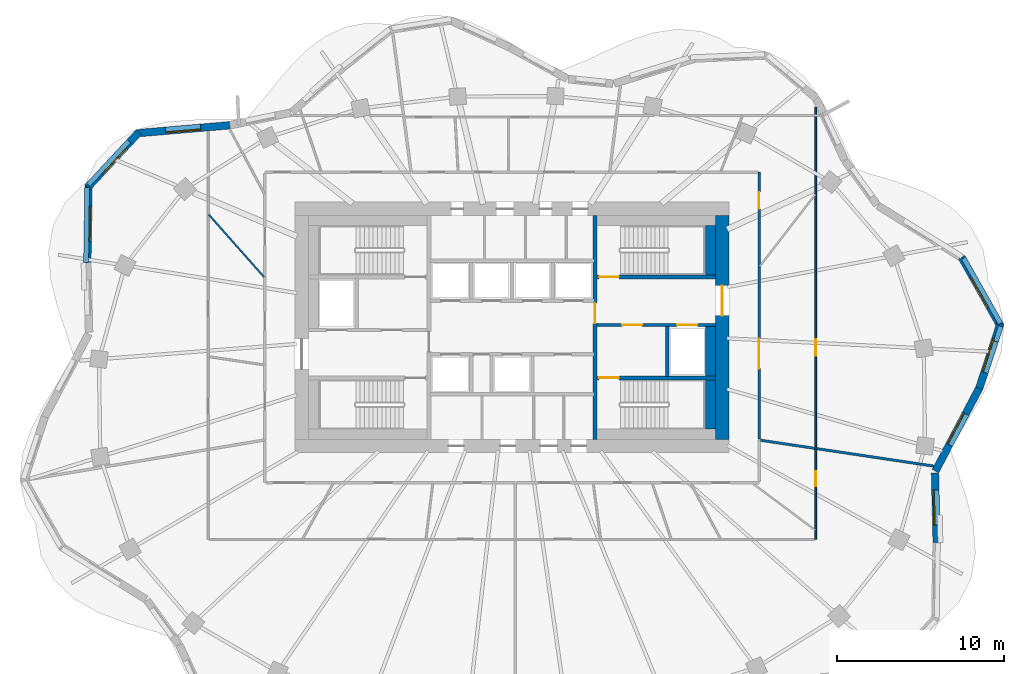
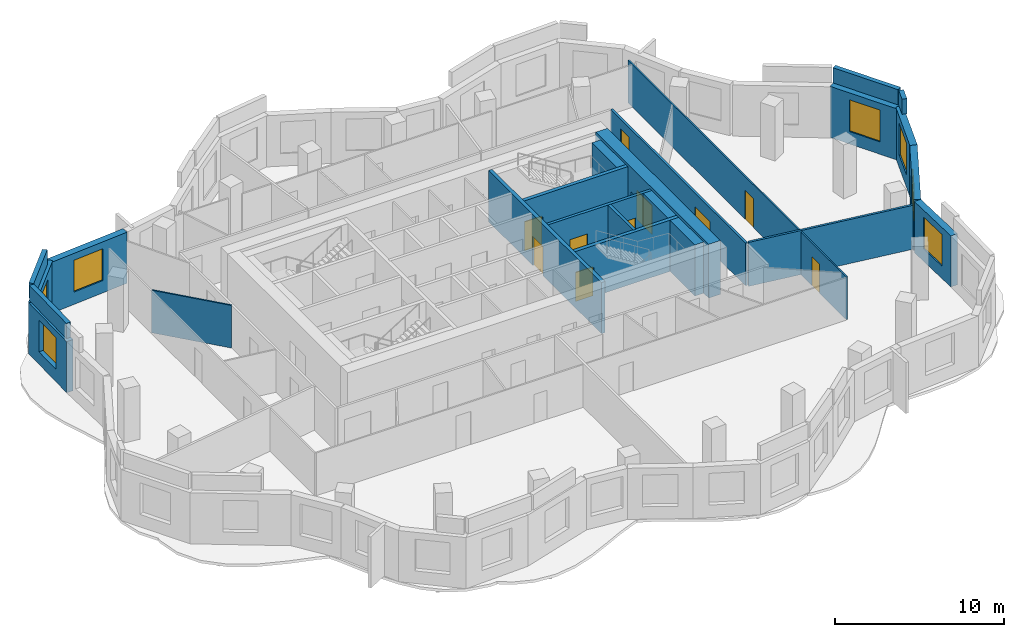
# One storey, part 6 of 9: 25 walls, 10 doors, 7 windows, 17 openings.
"""IFC4 building model written with IfcOpenShell, lengths in metres."""

from ifc_helpers import new_model, si_unit, direction, frame, frame_2d, origin, place, context, subcontext, project, spatial, rectangle, extrude, material, layer, layer_set, type_object, element, fill, save


model = new_model("IFC4")

# Units and contexts
model_context = context("Model", 3, precision=1e-05, world=origin(), true_north=direction((0.0, 1.0)))
body_context = subcontext(model_context, "Body", "Model", "MODEL_VIEW")
ifc_project = project(units=[si_unit("LENGTHUNIT", "METRE"), si_unit("AREAUNIT", "SQUARE_METRE"), si_unit("VOLUMEUNIT", "CUBIC_METRE"), si_unit("PLANEANGLEUNIT", "RADIAN"), si_unit("MASSUNIT", "GRAM", prefix="KILO")], contexts=[model_context])

# Site, building, storey
site_placement = place(None, origin())
site = spatial("IfcSite", under=ifc_project, at=site_placement, CompositionType="ELEMENT")
building_placement = place(site_placement, origin())
building = spatial("IfcBuilding", under=site, at=building_placement, Name="Rubra Terraces Tower", CompositionType="ELEMENT")
storey_placement = place(building_placement, frame((0.0, 0.0, 225.300048828125)))
storey = spatial("IfcBuildingStorey", under=building, at=storey_placement, Name="L55", CompositionType="ELEMENT", Elevation=225.300048828125)

# Wall, opening, window
ifc_material_1 = material(Name="Brick masonry red-brown", Category="masonry")
ifc_layer_1 = layer(ifc_material_1, 0.449951171875)
ifc_layer_set_1 = layer_set([ifc_layer_1], Name="Brick masonry red-brown")
wall_type_1 = type_object("IfcWallType", Name="Brick facade wall 450", PredefinedType="SOLIDWALL", material=ifc_layer_set_1)
wall_1_placement = place(storey_placement, frame((27.99462890625, 0.861083984375, 0.0), z_axis=(0.0, 0.0, 1.0), x_axis=(0.310693110673, 0.950510279261, 0.0)))
wall_1 = element("IfcWall", 1, at=wall_1_placement, inside=storey, type_object=wall_type_1, Name="Facade wall L55 bay 1", PredefinedType="SOLIDWALL", context=body_context, shape_type="SweptSolid", body=[
    extrude(rectangle(XDim=4.079833984375, YDim=0.449951171875, at=frame_2d((2.0400390625, 0.0))), origin(), (0.0, 0.0, 1.0), 3.699951171875),
])
opening_1_placement = place(wall_1_placement, frame((0.989990234375, 0.0, 0.89990234375)))
opening_1 = element("IfcOpeningElement", 2, at=opening_1_placement, cuts=wall_1, Name="Opening W1B", PredefinedType="OPENING", context=body_context, shape_type="SweptSolid", body=[
    extrude(rectangle(XDim=2.10009765625, YDim=2.300048828125, at=frame_2d((1.050048828125, 1.14990234375))), frame((0.0, 0.23486328125, 0.0), z_axis=(0.0, -1.0, 0.0), x_axis=(1.0, 0.0, 0.0)), (0.0, 0.0, 1.0), 0.469970703125),
])
ifc_material_2 = material(Name="Clear glass in aluminium frame", Category="aluminium")
window_type = type_object("IfcWindowType", Name="Fixed deep-set window tall storey 2100 x 2300", PartitioningType="SINGLE_PANEL", PredefinedType="WINDOW", material=ifc_material_2)
window_1_placement = place(opening_1_placement, origin())
window_1 = element("IfcWindow", 3, at=window_1_placement, inside=storey, type_object=window_type, Name="Window L55 bay 1", OverallHeight=2.300048828125, OverallWidth=2.10009765625, PartitioningType="SINGLE_PANEL", PredefinedType="WINDOW", context=body_context, shape_type="SweptSolid", body=[
    extrude(rectangle(XDim=2.10009765625, YDim=2.300048828125, at=frame_2d((1.050048828125, 1.14990234375))), frame((0.0, 0.135009765625, 0.0), z_axis=(0.0, -1.0, 0.0), x_axis=(1.0, 0.0, 0.0)), (0.0, 0.0, 1.0), 0.06005859375),
])
fill(opening_1, window_1)

wall_2_placement = place(storey_placement, frame((29.280029296875, 4.558349609375, 0.0), z_axis=(0.0, 0.0, 1.0), x_axis=(-0.491511608999, 0.870871022723, 0.0)))
wall_2 = element("IfcWall", 4, at=wall_2_placement, inside=storey, type_object=wall_type_1, Name="Facade wall L55 bay 2", PredefinedType="SOLIDWALL", context=body_context, shape_type="SweptSolid", body=[
    extrude(rectangle(XDim=4.762939453125, YDim=0.449951171875, at=frame_2d((2.38134765625, 0.0))), origin(), (0.0, 0.0, 1.0), 3.699951171875),
])
opening_2_placement = place(wall_2_placement, frame((1.33154296875, 0.0, 0.89990234375)))
opening_2 = element("IfcOpeningElement", 5, at=opening_2_placement, cuts=wall_2, Name="Opening W1B", PredefinedType="OPENING", context=body_context, shape_type="SweptSolid", body=[
    extrude(rectangle(XDim=2.10009765625, YDim=2.300048828125, at=frame_2d((1.050048828125, 1.14990234375))), frame((0.0, 0.23486328125, 0.0), z_axis=(0.0, -1.0, 0.0), x_axis=(1.0, 0.0, 0.0)), (0.0, 0.0, 1.0), 0.469970703125),
])
window_2_placement = place(opening_2_placement, origin())
window_2 = element("IfcWindow", 6, at=window_2_placement, inside=storey, type_object=window_type, Name="Window L55 bay 2", OverallHeight=2.300048828125, OverallWidth=2.10009765625, PartitioningType="SINGLE_PANEL", PredefinedType="WINDOW", context=body_context, shape_type="SweptSolid", body=[
    extrude(rectangle(XDim=2.10009765625, YDim=2.300048828125, at=frame_2d((1.050048828125, 1.14990234375))), frame((0.0, 0.135009765625, 0.0), z_axis=(0.0, -1.0, 0.0), x_axis=(1.0, 0.0, 0.0)), (0.0, 0.0, 1.0), 0.06005859375),
])
fill(opening_2, window_2)

wall_3_placement = place(storey_placement, frame((-16.91015625, 16.610107421875, 0.0), z_axis=(0.0, 0.0, 1.0), x_axis=(-0.996333165816, -0.085558299972, 0.0)))
wall_3 = element("IfcWall", 7, at=wall_3_placement, inside=storey, type_object=wall_type_1, Name="Facade wall L55 bay 16", PredefinedType="SOLIDWALL", context=body_context, shape_type="SweptSolid", body=[
    extrude(rectangle(XDim=5.595703125, YDim=0.449951171875, at=frame_2d((2.7978515625, 0.0))), origin(), (0.0, 0.0, 1.0), 3.699951171875),
])
opening_3_placement = place(wall_3_placement, frame((1.747802734375, 0.0, 0.89990234375)))
opening_3 = element("IfcOpeningElement", 8, at=opening_3_placement, cuts=wall_3, Name="Opening W1B", PredefinedType="OPENING", context=body_context, shape_type="SweptSolid", body=[
    extrude(rectangle(XDim=2.10009765625, YDim=2.300048828125, at=frame_2d((1.050048828125, 1.14990234375))), frame((0.0, 0.23486328125, 0.0), z_axis=(0.0, -1.0, 0.0), x_axis=(1.0, 0.0, 0.0)), (0.0, 0.0, 1.0), 0.469970703125),
])
window_3_placement = place(opening_3_placement, origin())
window_3 = element("IfcWindow", 9, at=window_3_placement, inside=storey, type_object=window_type, Name="Window L55 bay 16", OverallHeight=2.300048828125, OverallWidth=2.10009765625, PartitioningType="SINGLE_PANEL", PredefinedType="WINDOW", context=body_context, shape_type="SweptSolid", body=[
    extrude(rectangle(XDim=2.10009765625, YDim=2.300048828125, at=frame_2d((1.050048828125, 1.14990234375))), frame((0.0, 0.135009765625, 0.0), z_axis=(0.0, -1.0, 0.0), x_axis=(1.0, 0.0, 0.0)), (0.0, 0.0, 1.0), 0.06005859375),
])
fill(opening_3, window_3)

wall_4_placement = place(storey_placement, frame((-22.34521484375, 16.20166015625, 0.0), z_axis=(0.0, 0.0, 1.0), x_axis=(-0.681249161265, -0.732051624051, 0.0)))
wall_4 = element("IfcWall", 10, at=wall_4_placement, inside=storey, type_object=wall_type_1, Name="Facade wall L55 bay 17", PredefinedType="SOLIDWALL", context=body_context, shape_type="SweptSolid", body=[
    extrude(rectangle(XDim=4.52685546875, YDim=0.449951171875, at=frame_2d((2.263427734375, 0.0))), origin(), (0.0, 0.0, 1.0), 3.699951171875),
])
opening_4_placement = place(wall_4_placement, frame((1.21337890625, 0.0, 0.89990234375)))
opening_4 = element("IfcOpeningElement", 11, at=opening_4_placement, cuts=wall_4, Name="Opening W1B", PredefinedType="OPENING", context=body_context, shape_type="SweptSolid", body=[
    extrude(rectangle(XDim=2.10009765625, YDim=2.300048828125, at=frame_2d((1.050048828125, 1.14990234375))), frame((0.0, 0.23486328125, 0.0), z_axis=(0.0, -1.0, 0.0), x_axis=(1.0, 0.0, 0.0)), (0.0, 0.0, 1.0), 0.469970703125),
])
window_4_placement = place(opening_4_placement, origin())
window_4 = element("IfcWindow", 12, at=window_4_placement, inside=storey, type_object=window_type, Name="Window L55 bay 17", OverallHeight=2.300048828125, OverallWidth=2.10009765625, PartitioningType="SINGLE_PANEL", PredefinedType="WINDOW", context=body_context, shape_type="SweptSolid", body=[
    extrude(rectangle(XDim=2.10009765625, YDim=2.300048828125, at=frame_2d((1.050048828125, 1.14990234375))), frame((0.0, 0.135009765625, 0.0), z_axis=(0.0, -1.0, 0.0), x_axis=(1.0, 0.0, 0.0)), (0.0, 0.0, 1.0), 0.06005859375),
])
fill(opening_4, window_4)

wall_5_placement = place(storey_placement, frame((-25.369140625, 13.031982421875, 0.0), z_axis=(0.0, 0.0, 1.0), x_axis=(-0.015383599855, -0.999881665426, 0.0)))
wall_5 = element("IfcWall", 13, at=wall_5_placement, inside=storey, type_object=wall_type_1, Name="Facade wall L55 bay 18", PredefinedType="SOLIDWALL", context=body_context, shape_type="SweptSolid", body=[
    extrude(rectangle(XDim=4.665771484375, YDim=0.449951171875, at=frame_2d((2.3330078125, 0.0))), origin(), (0.0, 0.0, 1.0), 3.699951171875),
])
opening_5_placement = place(wall_5_placement, frame((1.282958984375, 0.0, 0.89990234375)))
opening_5 = element("IfcOpeningElement", 14, at=opening_5_placement, cuts=wall_5, Name="Opening W1B", PredefinedType="OPENING", context=body_context, shape_type="SweptSolid", body=[
    extrude(rectangle(XDim=2.10009765625, YDim=2.300048828125, at=frame_2d((1.050048828125, 1.14990234375))), frame((0.0, 0.23486328125, 0.0), z_axis=(0.0, -1.0, 0.0), x_axis=(1.0, 0.0, 0.0)), (0.0, 0.0, 1.0), 0.469970703125),
])
window_5_placement = place(opening_5_placement, origin())
window_5 = element("IfcWindow", 15, at=window_5_placement, inside=storey, type_object=window_type, Name="Window L55 bay 18", OverallHeight=2.300048828125, OverallWidth=2.10009765625, PartitioningType="SINGLE_PANEL", PredefinedType="WINDOW", context=body_context, shape_type="SweptSolid", body=[
    extrude(rectangle(XDim=2.10009765625, YDim=2.300048828125, at=frame_2d((1.050048828125, 1.14990234375))), frame((0.0, 0.135009765625, 0.0), z_axis=(0.0, -1.0, 0.0), x_axis=(1.0, 0.0, 0.0)), (0.0, 0.0, 1.0), 0.06005859375),
])
fill(opening_5, window_5)

wall_6_placement = place(storey_placement, frame((25.44091796875, -8.375, 0.0), z_axis=(0.0, 0.0, 1.0), x_axis=(-0.024385850259, 0.999702620936, 0.0)))
wall_6 = element("IfcWall", 16, at=wall_6_placement, inside=storey, type_object=wall_type_1, Name="Facade wall L55 bay 39", PredefinedType="SOLIDWALL", context=body_context, shape_type="SweptSolid", body=[
    extrude(rectangle(XDim=4.164794921875, YDim=0.449951171875, at=frame_2d((2.08251953125, 0.0))), origin(), (0.0, 0.0, 1.0), 3.699951171875),
])
opening_6_placement = place(wall_6_placement, frame((1.032470703125, 0.0, 0.89990234375)))
opening_6 = element("IfcOpeningElement", 17, at=opening_6_placement, cuts=wall_6, Name="Opening W1B", PredefinedType="OPENING", context=body_context, shape_type="SweptSolid", body=[
    extrude(rectangle(XDim=2.10009765625, YDim=2.300048828125, at=frame_2d((1.050048828125, 1.14990234375))), frame((0.0, 0.23486328125, 0.0), z_axis=(0.0, -1.0, 0.0), x_axis=(1.0, 0.0, 0.0)), (0.0, 0.0, 1.0), 0.469970703125),
])
window_6_placement = place(opening_6_placement, origin())
window_6 = element("IfcWindow", 18, at=window_6_placement, inside=storey, type_object=window_type, Name="Window L55 bay 39", OverallHeight=2.300048828125, OverallWidth=2.10009765625, PartitioningType="SINGLE_PANEL", PredefinedType="WINDOW", context=body_context, shape_type="SweptSolid", body=[
    extrude(rectangle(XDim=2.10009765625, YDim=2.300048828125, at=frame_2d((1.050048828125, 1.14990234375))), frame((0.0, 0.135009765625, 0.0), z_axis=(0.0, -1.0, 0.0), x_axis=(1.0, 0.0, 0.0)), (0.0, 0.0, 1.0), 0.06005859375),
])
fill(opening_6, window_6)

wall_7_placement = place(storey_placement, frame((25.365478515625, -4.10693359375, 0.0), z_axis=(0.0, 0.0, 1.0), x_axis=(0.467239399168, 0.884130840919, 0.0)))
wall_7 = element("IfcWall", 19, at=wall_7_placement, inside=storey, type_object=wall_type_1, Name="Facade wall L55 bay 40", PredefinedType="SOLIDWALL", context=body_context, shape_type="SweptSolid", body=[
    extrude(rectangle(XDim=5.658935546875, YDim=0.449951171875, at=frame_2d((2.82958984375, 0.0))), origin(), (0.0, 0.0, 1.0), 3.699951171875),
])
opening_7_placement = place(wall_7_placement, frame((1.779296875, 0.0, 0.89990234375)))
opening_7 = element("IfcOpeningElement", 20, at=opening_7_placement, cuts=wall_7, Name="Opening W1B", PredefinedType="OPENING", context=body_context, shape_type="SweptSolid", body=[
    extrude(rectangle(XDim=2.10009765625, YDim=2.300048828125, at=frame_2d((1.050048828125, 1.14990234375))), frame((0.0, 0.23486328125, 0.0), z_axis=(0.0, -1.0, 0.0), x_axis=(1.0, 0.0, 0.0)), (0.0, 0.0, 1.0), 0.469970703125),
])
window_7_placement = place(opening_7_placement, origin())
window_7 = element("IfcWindow", 21, at=window_7_placement, inside=storey, type_object=window_type, Name="Window L55 bay 40", OverallHeight=2.300048828125, OverallWidth=2.10009765625, PartitioningType="SINGLE_PANEL", PredefinedType="WINDOW", context=body_context, shape_type="SweptSolid", body=[
    extrude(rectangle(XDim=2.10009765625, YDim=2.300048828125, at=frame_2d((1.050048828125, 1.14990234375))), frame((0.0, 0.135009765625, 0.0), z_axis=(0.0, -1.0, 0.0), x_axis=(1.0, 0.0, 0.0)), (0.0, 0.0, 1.0), 0.06005859375),
])
fill(opening_7, window_7)

# Walls
ifc_layer_2 = layer(ifc_material_1, 0.300048828125)
ifc_layer_set_2 = layer_set([ifc_layer_2], Name="Brick masonry red-brown")
wall_type_2 = type_object("IfcWallType", Name="Brick parapet 300", PredefinedType="PARAPET", material=ifc_layer_set_2)
wall_8_placement = place(storey_placement, frame((28.987548828125, 3.657470703125, 3.89990234375), z_axis=(0.0, 0.0, 1.0), x_axis=(0.310832502734, 0.950464704891, 0.0)))
element("IfcWall", 22, at=wall_8_placement, inside=storey, type_object=wall_type_2, Name="Parapet L55 bay 1", PredefinedType="PARAPET", context=body_context, shape_type="SweptSolid", body=[
    extrude(rectangle(XDim=0.951171875, YDim=0.300048828125, at=frame_2d((0.4755859375, 0.0))), origin(), (0.0, 0.0, 1.0), 1.10009765625),
])
wall_9_placement = place(storey_placement, frame((29.265625, 4.736572265625, 3.89990234375), z_axis=(0.0, 0.0, 1.0), x_axis=(-0.491480740547, 0.870888443873, 0.0)))
element("IfcWall", 23, at=wall_9_placement, inside=storey, type_object=wall_type_2, Name="Parapet L55 bay 2", PredefinedType="PARAPET", context=body_context, shape_type="SweptSolid", body=[
    extrude(rectangle(XDim=4.494140625, YDim=0.300048828125, at=frame_2d((2.2470703125, 0.0))), origin(), (0.0, 0.0, 1.0), 1.10009765625),
])
wall_10_placement = place(storey_placement, frame((-22.947509765625, 15.66455078125, 3.89990234375), z_axis=(0.0, 0.0, 1.0), x_axis=(-0.681269800001, -0.732032417046, 0.0)))
element("IfcWall", 24, at=wall_10_placement, inside=storey, type_object=wall_type_2, Name="Parapet L55 bay 17", PredefinedType="PARAPET", context=body_context, shape_type="SweptSolid", body=[
    extrude(rectangle(XDim=3.578125, YDim=0.300048828125, at=frame_2d((1.7890625, 0.0))), origin(), (0.0, 0.0, 1.0), 1.10009765625),
])
wall_11_placement = place(storey_placement, frame((-25.4462890625, 12.893310546875, 3.89990234375), z_axis=(0.0, 0.0, 1.0), x_axis=(-0.015386139974, -0.999881626342, 0.0)))
element("IfcWall", 25, at=wall_11_placement, inside=storey, type_object=wall_type_2, Name="Parapet L55 bay 18", PredefinedType="PARAPET", context=body_context, shape_type="SweptSolid", body=[
    extrude(rectangle(XDim=4.490478515625, YDim=0.300048828125, at=frame_2d((2.2451171875, 0.0))), origin(), (0.0, 0.0, 1.0), 1.10009765625),
])

# Wall, opening, door
ifc_material_3 = material(Name="Concrete C50", Category="concrete")
ifc_layer_3 = layer(ifc_material_3, 0.800048828125)
ifc_layer_set_3 = layer_set([ifc_layer_3], Name="Concrete C50")
wall_type_3 = type_object("IfcWallType", Name="CORE WALL 800 C50", PredefinedType="SHEAR", material=ifc_layer_set_3)
wall_12_placement = place(storey_placement, frame((12.60009765625, -2.199951171875, 0.0), z_axis=(0.0, 0.0, 1.0), x_axis=(0.0, 1.0, 0.0)))
wall_12 = element("IfcWall", 26, at=wall_12_placement, inside=storey, type_object=wall_type_3, Name="CORE WALL E L55", PredefinedType="SHEAR", context=body_context, shape_type="SweptSolid", body=[
    extrude(rectangle(XDim=13.39990234375, YDim=0.800048828125, at=frame_2d((6.699951171875, 0.0))), origin(), (0.0, 0.0, 1.0), 3.89990234375),
])
opening_8_placement = place(wall_12_placement, frame((7.39990234375, 0.0, 0.0)))
opening_8 = element("IfcOpeningElement", 27, at=opening_8_placement, cuts=wall_12, Name="Opening L55.C02", PredefinedType="OPENING", context=body_context, shape_type="SweptSolid", body=[
    extrude(rectangle(XDim=1.800048828125, YDim=2.10009765625, at=frame_2d((0.89990234375, 1.050048828125))), frame((0.0, 0.409912109375, 0.0), z_axis=(0.0, -1.0, 0.0), x_axis=(1.0, 0.0, 0.0)), (0.0, 0.0, 1.0), 0.820068359375),
])
ifc_material_4 = material(Name="Painted steel", Category="steel")
door_type_1 = type_object("IfcDoorType", Name="Fire door 1800x2100 double", OperationType="NOTDEFINED", PredefinedType="DOOR", material=ifc_material_4)
door_1_placement = place(opening_8_placement, origin())
door_1 = element("IfcDoor", 28, at=door_1_placement, inside=storey, type_object=door_type_1, Name="Core entrance door FF2", OperationType="DOUBLE_DOOR_SINGLE_SWING", OverallHeight=2.10009765625, OverallWidth=1.800048828125, PredefinedType="DOOR", context=body_context, shape_type="SweptSolid", body=[
    extrude(rectangle(XDim=1.800048828125, YDim=2.10009765625, at=frame_2d((0.89990234375, 1.050048828125))), frame((0.0, 0.02490234375, 0.0), z_axis=(0.0, -1.0, 0.0), x_axis=(1.0, 0.0, 0.0)), (0.0, 0.0, 1.0), 0.050048828125),
])
fill(opening_8, door_1)

# Wall, openings, doors
ifc_material_5 = material(Name="Plasterboard on steel stud, mineral wool infill", Category="steel")
ifc_layer_4 = layer(ifc_material_5, 0.14990234375)
ifc_layer_set_4 = layer_set([ifc_layer_4], Name="Plasterboard on steel stud, mineral wool infill")
wall_type_4 = type_object("IfcWallType", Name="CORRIDOR PARTITION 150", PredefinedType="PARTITIONING", material=ifc_layer_set_4)
wall_13_placement = place(storey_placement, frame((14.800048828125, -2.171142578125, 0.0), z_axis=(0.0, 0.0, 1.0), x_axis=(0.0, 1.0, 0.0)))
wall_13 = element("IfcWall", 29, at=wall_13_placement, inside=storey, type_object=wall_type_4, Name="PARTITION", PredefinedType="PARTITIONING", context=body_context, shape_type="SweptSolid", body=[
    extrude(rectangle(XDim=15.97119140625, YDim=0.14990234375, at=frame_2d((7.985595703125, 0.0))), origin(), (0.0, 0.0, 1.0), 3.083984375),
])
opening_9_placement = place(wall_13_placement, frame((4.199951171875, 0.0, 0.0)))
opening_9 = element("IfcOpeningElement", 30, at=opening_9_placement, cuts=wall_13, Name="Opening 55-115", PredefinedType="OPENING", context=body_context, shape_type="SweptSolid", body=[
    extrude(rectangle(XDim=1.800048828125, YDim=2.10009765625, at=frame_2d((0.89990234375, 1.050048828125))), frame((0.0, 0.0849609375, 0.0), z_axis=(0.0, -1.0, 0.0), x_axis=(1.0, 0.0, 0.0)), (0.0, 0.0, 1.0), 0.169921875),
])
opening_10_placement = place(wall_13_placement, frame((13.778076171875, 0.0, 0.0)))
opening_10 = element("IfcOpeningElement", 31, at=opening_10_placement, cuts=wall_13, Name="Opening 55-117", PredefinedType="OPENING", context=body_context, shape_type="SweptSolid", body=[
    extrude(rectangle(XDim=1.0, YDim=2.39990234375, at=frame_2d((0.5, 1.199951171875))), frame((0.0, 0.0849609375, 0.0), z_axis=(0.0, -1.0, 0.0), x_axis=(1.0, 0.0, 0.0)), (0.0, 0.0, 1.0), 0.169921875),
])
ifc_material_6 = material(Name="Glazed aluminium meeting door leaf", Category="aluminium")
door_type_2 = type_object("IfcDoorType", Name="MEETING ROOM GLAZED DOOR 1000 X 2400", OperationType="SINGLE_SWING_LEFT", PredefinedType="DOOR", material=ifc_material_6)
door_2_placement = place(opening_10_placement, origin())
door_2 = element("IfcDoor", 32, at=door_2_placement, inside=storey, type_object=door_type_2, Name="DOOR 55-117", OperationType="SINGLE_SWING_RIGHT", OverallHeight=2.39990234375, OverallWidth=1.0, PredefinedType="DOOR", context=body_context, shape_type="SweptSolid", body=[
    extrude(rectangle(XDim=1.0, YDim=2.39990234375, at=frame_2d((0.5, 1.199951171875))), frame((0.0, 0.02490234375, 0.0), z_axis=(0.0, -1.0, 0.0), x_axis=(1.0, 0.0, 0.0)), (0.0, 0.0, 1.0), 0.050048828125),
])
fill(opening_10, door_2)
ifc_material_7 = material(Name="Painted timber door leaf, double", Category="wood")
door_type_3 = type_object("IfcDoorType", Name="ROOM DOUBLE DOOR 1800 X 2100", OperationType="DOUBLE_DOOR_SINGLE_SWING", PredefinedType="DOOR", material=ifc_material_7)
door_3_placement = place(opening_9_placement, origin())
door_3 = element("IfcDoor", 33, at=door_3_placement, inside=storey, type_object=door_type_3, Name="DOOR 55-115", OperationType="DOUBLE_DOOR_SINGLE_SWING", OverallHeight=2.10009765625, OverallWidth=1.800048828125, PredefinedType="DOOR", context=body_context, shape_type="SweptSolid", body=[
    extrude(rectangle(XDim=1.800048828125, YDim=2.10009765625, at=frame_2d((0.89990234375, 1.050048828125))), frame((0.0, 0.02490234375, 0.0), z_axis=(0.0, -1.0, 0.0), x_axis=(1.0, 0.0, 0.0)), (0.0, 0.0, 1.0), 0.050048828125),
])
fill(opening_9, door_3)

# Walls
ifc_material_8 = material(Name="Concrete C40", Category="concrete")
ifc_layer_5 = layer(ifc_material_8, 0.60009765625)
ifc_layer_set_5 = layer_set([ifc_layer_5], Name="Concrete C40")
wall_type_5 = type_object("IfcWallType", Name="Core lining wall 600 concrete", PredefinedType="SOLIDWALL", material=ifc_layer_set_5)
wall_14_placement = place(storey_placement, frame((11.89990234375, 10.60009765625, 0.0), z_axis=(0.0, 0.0, 1.0), x_axis=(0.0, -1.0, 0.0)))
element("IfcWall", 34, at=wall_14_placement, inside=storey, type_object=wall_type_5, Name="CORE LINING WALL L55", PredefinedType="SOLIDWALL", context=body_context, shape_type="SweptSolid", body=[
    extrude(rectangle(XDim=2.9501953125, YDim=0.60009765625, at=frame_2d((1.47509765625, 0.0))), origin(), (0.0, 0.0, 1.0), 3.699951171875),
])
wall_15_placement = place(storey_placement, frame((11.89990234375, 4.550048828125, 0.0), z_axis=(0.0, 0.0, 1.0), x_axis=(0.0, -1.0, 0.0)))
element("IfcWall", 35, at=wall_15_placement, inside=storey, type_object=wall_type_5, Name="CORE LINING WALL L55", PredefinedType="SOLIDWALL", context=body_context, shape_type="SweptSolid", body=[
    extrude(rectangle(XDim=3.0, YDim=0.60009765625, at=frame_2d((1.5, 0.0))), origin(), (0.0, 0.0, 1.0), 3.699951171875),
])
wall_16_placement = place(storey_placement, frame((11.89990234375, 1.35009765625, 0.0), z_axis=(0.0, 0.0, 1.0), x_axis=(0.0, -1.0, 0.0)))
element("IfcWall", 36, at=wall_16_placement, inside=storey, type_object=wall_type_5, Name="CORE LINING WALL L55", PredefinedType="SOLIDWALL", context=body_context, shape_type="SweptSolid", body=[
    extrude(rectangle(XDim=2.9501953125, YDim=0.60009765625, at=frame_2d((1.47509765625, 0.0))), origin(), (0.0, 0.0, 1.0), 3.699951171875),
])

# Wall, openings, doors
ifc_material_9 = material(Name="Concrete C30", Category="concrete")
ifc_layer_6 = layer(ifc_material_9, 0.199951171875)
ifc_layer_set_6 = layer_set([ifc_layer_6], Name="Concrete C30")
wall_type_6 = type_object("IfcWallType", Name="Core wall 200 concrete", PredefinedType="SOLIDWALL", material=ifc_layer_set_6)
wall_17_placement = place(storey_placement, frame((12.199951171875, 4.64990234375, 0.0), z_axis=(0.0, 0.0, 1.0), x_axis=(-1.0, 0.0, 0.0)))
wall_17 = element("IfcWall", 37, at=wall_17_placement, inside=storey, type_object=wall_type_6, Name="STAIR WALL L55", PredefinedType="SOLIDWALL", context=body_context, shape_type="SweptSolid", body=[
    extrude(rectangle(XDim=7.099853515625, YDim=0.199951171875, at=frame_2d((3.5498046875, 0.0))), origin(), (0.0, 0.0, 1.0), 3.699951171875),
])
opening_11_placement = place(wall_17_placement, frame((4.39990234375, 0.0, 0.0)))
opening_11 = element("IfcOpeningElement", 38, at=opening_11_placement, cuts=wall_17, Name="Opening L55.C06", PredefinedType="OPENING", context=body_context, shape_type="SweptSolid", body=[
    extrude(rectangle(XDim=1.199951171875, YDim=2.10009765625, at=frame_2d((0.60009765625, 1.050048828125))), frame((0.0, 0.10986328125, 0.0), z_axis=(0.0, -1.0, 0.0), x_axis=(1.0, 0.0, 0.0)), (0.0, 0.0, 1.0), 0.219970703125),
])
opening_12_placement = place(wall_17_placement, frame((1.10009765625, 0.0, 0.0)))
opening_12 = element("IfcOpeningElement", 39, at=opening_12_placement, cuts=wall_17, Name="Opening L55.C12", PredefinedType="OPENING", context=body_context, shape_type="SweptSolid", body=[
    extrude(rectangle(XDim=1.199951171875, YDim=2.10009765625, at=frame_2d((0.60009765625, 1.050048828125))), frame((0.0, 0.10986328125, 0.0), z_axis=(0.0, -1.0, 0.0), x_axis=(1.0, 0.0, 0.0)), (0.0, 0.0, 1.0), 0.219970703125),
])
door_type_4 = type_object("IfcDoorType", Name="Fire door 1200x2100 single", OperationType="NOTDEFINED", PredefinedType="DOOR", material=ifc_material_4)
door_4_placement = place(opening_11_placement, origin())
door_4 = element("IfcDoor", 40, at=door_4_placement, inside=storey, type_object=door_type_4, Name="Stair vestibule door S4", OperationType="SINGLE_SWING_RIGHT", OverallHeight=2.10009765625, OverallWidth=1.199951171875, PredefinedType="DOOR", context=body_context, shape_type="SweptSolid", body=[
    extrude(rectangle(XDim=1.199951171875, YDim=2.10009765625, at=frame_2d((0.60009765625, 1.050048828125))), frame((0.0, 0.02490234375, 0.0), z_axis=(0.0, -1.0, 0.0), x_axis=(1.0, 0.0, 0.0)), (0.0, 0.0, 1.0), 0.050048828125),
])
fill(opening_11, door_4)
ifc_material_10 = material(Name="Stainless steel", Category="steel")
door_type_5 = type_object("IfcDoorType", Name="Lift landing door 1200x2100", OperationType="NOTDEFINED", PredefinedType="DOOR", material=ifc_material_10)
door_5_placement = place(opening_12_placement, origin())
door_5 = element("IfcDoor", 41, at=door_5_placement, inside=storey, type_object=door_type_5, Name="Landing door FF2", OperationType="SLIDING_TO_RIGHT", OverallHeight=2.10009765625, OverallWidth=1.199951171875, PredefinedType="DOOR", context=body_context, shape_type="SweptSolid", body=[
    extrude(rectangle(XDim=1.199951171875, YDim=2.10009765625, at=frame_2d((0.60009765625, 1.050048828125))), frame((0.0, 0.02490234375, 0.0), z_axis=(0.0, -1.0, 0.0), x_axis=(1.0, 0.0, 0.0)), (0.0, 0.0, 1.0), 0.050048828125),
])
fill(opening_12, door_5)

# Walls
wall_18_placement = place(storey_placement, frame((9.300048828125, 4.550048828125, 0.0), z_axis=(0.0, 0.0, 1.0), x_axis=(0.0, -1.0, 0.0)))
element("IfcWall", 42, at=wall_18_placement, inside=storey, type_object=wall_type_6, Name="STAIR WALL L55", PredefinedType="SOLIDWALL", context=body_context, shape_type="SweptSolid", body=[
    extrude(rectangle(XDim=3.0, YDim=0.199951171875, at=frame_2d((1.5, 0.0))), origin(), (0.0, 0.0, 1.0), 3.699951171875),
])
ifc_material_11 = material(Name="Plasterboard on steel stud", Category="steel")
ifc_layer_7 = layer(ifc_material_11, 0.10009765625)
ifc_layer_set_7 = layer_set([ifc_layer_7], Name="Plasterboard on steel stud")
wall_type_7 = type_object("IfcWallType", Name="ROOM PARTITION 100", PredefinedType="PARTITIONING", material=ifc_layer_set_7)
wall_19_placement = place(storey_placement, frame((-14.849609375, 7.513916015625, 0.0), z_axis=(0.0, 0.0, 1.0), x_axis=(-0.663136045348, 0.748498888015, 0.0)))
element("IfcWall", 43, at=wall_19_placement, inside=storey, type_object=wall_type_7, Name="PARTITION", PredefinedType="PARTITIONING", context=body_context, shape_type="SweptSolid", body=[
    extrude(rectangle(XDim=5.002197265625, YDim=0.10009765625, at=frame_2d((2.5009765625, 0.0))), origin(), (0.0, 0.0, 1.0), 3.083984375),
])

# Wall, opening, door
wall_20_placement = place(storey_placement, frame((18.199951171875, -2.77392578125, 0.0), z_axis=(0.0, 0.0, 1.0), x_axis=(0.0, -1.0, 0.0)))
wall_20 = element("IfcWall", 44, at=wall_20_placement, inside=storey, type_object=wall_type_7, Name="PARTITION", PredefinedType="PARTITIONING", context=body_context, shape_type="SweptSolid", body=[
    extrude(rectangle(XDim=5.426025390625, YDim=0.10009765625, at=frame_2d((2.712890625, 0.0))), origin(), (0.0, 0.0, 1.0), 3.083984375),
])
opening_13_placement = place(wall_20_placement, frame((1.35595703125, 0.0, 0.0)))
opening_13 = element("IfcOpeningElement", 45, at=opening_13_placement, cuts=wall_20, Name="Opening 55-114", PredefinedType="OPENING", context=body_context, shape_type="SweptSolid", body=[
    extrude(rectangle(XDim=0.89990234375, YDim=2.10009765625, at=frame_2d((0.449951171875, 1.050048828125))), frame((0.0, 0.06005859375, 0.0), z_axis=(0.0, -1.0, 0.0), x_axis=(1.0, 0.0, 0.0)), (0.0, 0.0, 1.0), 0.1201171875),
])
ifc_material_12 = material(Name="Painted timber door leaf", Category="wood")
door_type_6 = type_object("IfcDoorType", Name="ROOM DOOR 900 X 2100", OperationType="SINGLE_SWING_LEFT", PredefinedType="DOOR", material=ifc_material_12)
door_6_placement = place(opening_13_placement, origin())
door_6 = element("IfcDoor", 46, at=door_6_placement, inside=storey, type_object=door_type_6, Name="DOOR 55-114", OperationType="SINGLE_SWING_RIGHT", OverallHeight=2.10009765625, OverallWidth=0.89990234375, PredefinedType="DOOR", context=body_context, shape_type="SweptSolid", body=[
    extrude(rectangle(XDim=0.89990234375, YDim=2.10009765625, at=frame_2d((0.449951171875, 1.050048828125))), frame((0.0, 0.02490234375, 0.0), z_axis=(0.0, -1.0, 0.0), x_axis=(1.0, 0.0, 0.0)), (0.0, 0.0, 1.0), 0.050048828125),
])
fill(opening_13, door_6)

wall_21_placement = place(storey_placement, frame((18.199951171875, 17.701904296875, 0.0), z_axis=(0.0, 0.0, 1.0), x_axis=(0.0, -1.0, 0.0)))
wall_21 = element("IfcWall", 47, at=wall_21_placement, inside=storey, type_object=wall_type_7, Name="PARTITION", PredefinedType="PARTITIONING", context=body_context, shape_type="SweptSolid", body=[
    extrude(rectangle(XDim=20.435302734375, YDim=0.10009765625, at=frame_2d((10.2177734375, 0.0))), origin(), (0.0, 0.0, 1.0), 3.083984375),
])
opening_14_placement = place(wall_21_placement, frame((13.902099609375, 0.0, 0.0)))
opening_14 = element("IfcOpeningElement", 48, at=opening_14_placement, cuts=wall_21, Name="Opening 55-116", PredefinedType="OPENING", context=body_context, shape_type="SweptSolid", body=[
    extrude(rectangle(XDim=1.0, YDim=2.10009765625, at=frame_2d((0.5, 1.050048828125))), frame((0.0, 0.06005859375, 0.0), z_axis=(0.0, -1.0, 0.0), x_axis=(1.0, 0.0, 0.0)), (0.0, 0.0, 1.0), 0.1201171875),
])
door_type_7 = type_object("IfcDoorType", Name="ROOM DOOR 1000 X 2100", OperationType="SINGLE_SWING_LEFT", PredefinedType="DOOR", material=ifc_material_12)
door_7_placement = place(opening_14_placement, origin())
door_7 = element("IfcDoor", 49, at=door_7_placement, inside=storey, type_object=door_type_7, Name="DOOR 55-116", OperationType="SINGLE_SWING_LEFT", OverallHeight=2.10009765625, OverallWidth=1.0, PredefinedType="DOOR", context=body_context, shape_type="SweptSolid", body=[
    extrude(rectangle(XDim=1.0, YDim=2.10009765625, at=frame_2d((0.5, 1.050048828125))), frame((0.0, 0.02490234375, 0.0), z_axis=(0.0, -1.0, 0.0), x_axis=(1.0, 0.0, 0.0)), (0.0, 0.0, 1.0), 0.050048828125),
])
fill(opening_14, door_7)

# Wall
ifc_layer_8 = layer(ifc_material_11, 0.14990234375)
ifc_layer_set_8 = layer_set([ifc_layer_8], Name="Plasterboard on steel stud")
wall_type_8 = type_object("IfcWallType", Name="ROOM PARTITION 150", PredefinedType="PARTITIONING", material=ifc_layer_set_8)
wall_22_placement = place(storey_placement, frame((25.264404296875, -3.80810546875, 0.0), z_axis=(0.0, 0.0, 1.0), x_axis=(-0.989044164521, 0.147619919476, 0.0)))
element("IfcWall", 50, at=wall_22_placement, inside=storey, type_object=wall_type_8, Name="PARTITION", PredefinedType="PARTITIONING", context=body_context, shape_type="SweptSolid", body=[
    extrude(rectangle(XDim=10.505126953125, YDim=0.14990234375, at=frame_2d((5.25244140625, 0.0))), origin(), (0.0, 0.0, 1.0), 3.183837890625),
])

# Wall, opening, door
ifc_layer_9 = layer(ifc_material_8, 0.25)
ifc_layer_set_9 = layer_set([ifc_layer_9], Name="Concrete C40")
wall_type_9 = type_object("IfcWallType", Name="Stair enclosure wall 250 concrete", PredefinedType="SOLIDWALL", material=ifc_layer_set_9)
wall_23_placement = place(storey_placement, frame((12.199951171875, 7.52490234375, 0.0), z_axis=(0.0, 0.0, 1.0), x_axis=(-1.0, 0.0, 0.0)))
wall_23 = element("IfcWall", 51, at=wall_23_placement, inside=storey, type_object=wall_type_9, Name="STAIR WALL L55", PredefinedType="SOLIDWALL", context=body_context, shape_type="SweptSolid", body=[
    extrude(rectangle(XDim=7.099853515625, YDim=0.25, at=frame_2d((3.5498046875, 0.0))), origin(), (0.0, 0.0, 1.0), 3.699951171875),
])
opening_15_placement = place(wall_23_placement, frame((5.800048828125, 0.0, 0.0)))
opening_15 = element("IfcOpeningElement", 52, at=opening_15_placement, cuts=wall_23, Name="Opening L55.C08", PredefinedType="OPENING", context=body_context, shape_type="SweptSolid", body=[
    extrude(rectangle(XDim=1.199951171875, YDim=2.10009765625, at=frame_2d((0.60009765625, 1.050048828125))), frame((0.0, 0.135009765625, 0.0), z_axis=(0.0, -1.0, 0.0), x_axis=(1.0, 0.0, 0.0)), (0.0, 0.0, 1.0), 0.27001953125),
])
door_8_placement = place(opening_15_placement, origin())
door_8 = element("IfcDoor", 53, at=door_8_placement, inside=storey, type_object=door_type_4, Name="Stair door S3", OperationType="SINGLE_SWING_RIGHT", OverallHeight=2.10009765625, OverallWidth=1.199951171875, PredefinedType="DOOR", context=body_context, shape_type="SweptSolid", body=[
    extrude(rectangle(XDim=1.199951171875, YDim=2.10009765625, at=frame_2d((0.60009765625, 1.050048828125))), frame((0.0, 0.02490234375, 0.0), z_axis=(0.0, -1.0, 0.0), x_axis=(1.0, 0.0, 0.0)), (0.0, 0.0, 1.0), 0.050048828125),
])
fill(opening_15, door_8)

wall_24_placement = place(storey_placement, frame((12.199951171875, 1.47509765625, 0.0), z_axis=(0.0, 0.0, 1.0), x_axis=(-1.0, 0.0, 0.0)))
wall_24 = element("IfcWall", 54, at=wall_24_placement, inside=storey, type_object=wall_type_9, Name="STAIR WALL L55", PredefinedType="SOLIDWALL", context=body_context, shape_type="SweptSolid", body=[
    extrude(rectangle(XDim=7.099853515625, YDim=0.25, at=frame_2d((3.5498046875, 0.0))), origin(), (0.0, 0.0, 1.0), 3.699951171875),
])
opening_16_placement = place(wall_24_placement, frame((5.800048828125, 0.0, 0.0)))
opening_16 = element("IfcOpeningElement", 55, at=opening_16_placement, cuts=wall_24, Name="Opening L55.C10", PredefinedType="OPENING", context=body_context, shape_type="SweptSolid", body=[
    extrude(rectangle(XDim=1.199951171875, YDim=2.10009765625, at=frame_2d((0.60009765625, 1.050048828125))), frame((0.0, 0.135009765625, 0.0), z_axis=(0.0, -1.0, 0.0), x_axis=(1.0, 0.0, 0.0)), (0.0, 0.0, 1.0), 0.27001953125),
])
door_9_placement = place(opening_16_placement, origin())
door_9 = element("IfcDoor", 56, at=door_9_placement, inside=storey, type_object=door_type_4, Name="Stair door S4", OperationType="SINGLE_SWING_RIGHT", OverallHeight=2.10009765625, OverallWidth=1.199951171875, PredefinedType="DOOR", context=body_context, shape_type="SweptSolid", body=[
    extrude(rectangle(XDim=1.199951171875, YDim=2.10009765625, at=frame_2d((0.60009765625, 1.050048828125))), frame((0.0, 0.02490234375, 0.0), z_axis=(0.0, -1.0, 0.0), x_axis=(1.0, 0.0, 0.0)), (0.0, 0.0, 1.0), 0.050048828125),
])
fill(opening_16, door_9)

wall_25_placement = place(storey_placement, frame((4.97509765625, 11.199951171875, 0.0), z_axis=(0.0, 0.0, 1.0), x_axis=(0.0, -1.0, 0.0)))
wall_25 = element("IfcWall", 57, at=wall_25_placement, inside=storey, type_object=wall_type_9, Name="CORE LOBBY WALL L55", PredefinedType="SOLIDWALL", context=body_context, shape_type="SweptSolid", body=[
    extrude(rectangle(XDim=13.39990234375, YDim=0.25, at=frame_2d((6.699951171875, 0.0))), origin(), (0.0, 0.0, 1.0), 3.699951171875),
])
opening_17_placement = place(wall_25_placement, frame((5.25, 0.0, 0.0)))
opening_17 = element("IfcOpeningElement", 58, at=opening_17_placement, cuts=wall_25, Name="Opening L55.C04", PredefinedType="OPENING", context=body_context, shape_type="SweptSolid", body=[
    extrude(rectangle(XDim=1.199951171875, YDim=2.10009765625, at=frame_2d((0.60009765625, 1.050048828125))), frame((0.0, 0.135009765625, 0.0), z_axis=(0.0, -1.0, 0.0), x_axis=(1.0, 0.0, 0.0)), (0.0, 0.0, 1.0), 0.27001953125),
])
door_10_placement = place(opening_17_placement, origin())
door_10 = element("IfcDoor", 59, at=door_10_placement, inside=storey, type_object=door_type_4, Name="Firefighting lobby door FF2", OperationType="SINGLE_SWING_RIGHT", OverallHeight=2.10009765625, OverallWidth=1.199951171875, PredefinedType="DOOR", context=body_context, shape_type="SweptSolid", body=[
    extrude(rectangle(XDim=1.199951171875, YDim=2.10009765625, at=frame_2d((0.60009765625, 1.050048828125))), frame((0.0, 0.02490234375, 0.0), z_axis=(0.0, -1.0, 0.0), x_axis=(1.0, 0.0, 0.0)), (0.0, 0.0, 1.0), 0.050048828125),
])
fill(opening_17, door_10)

save(model, "model.ifc")
